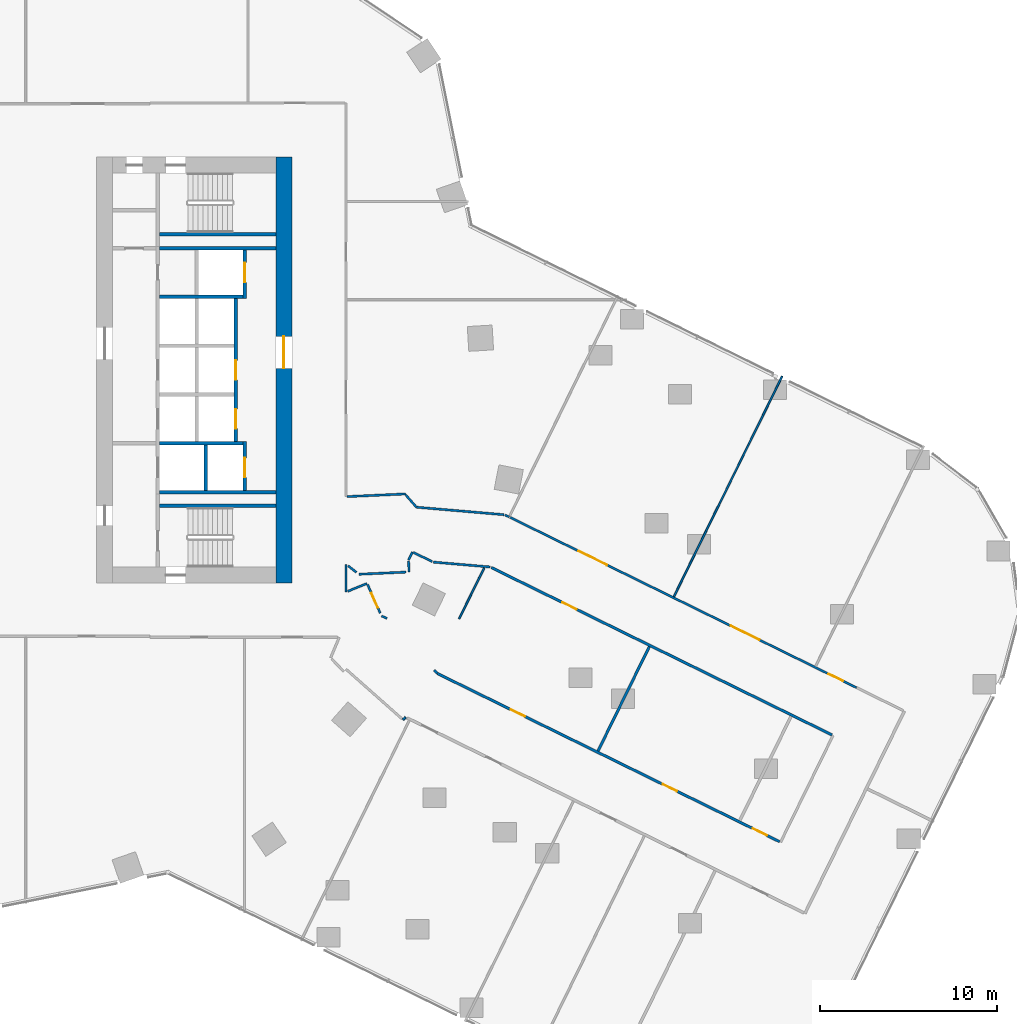
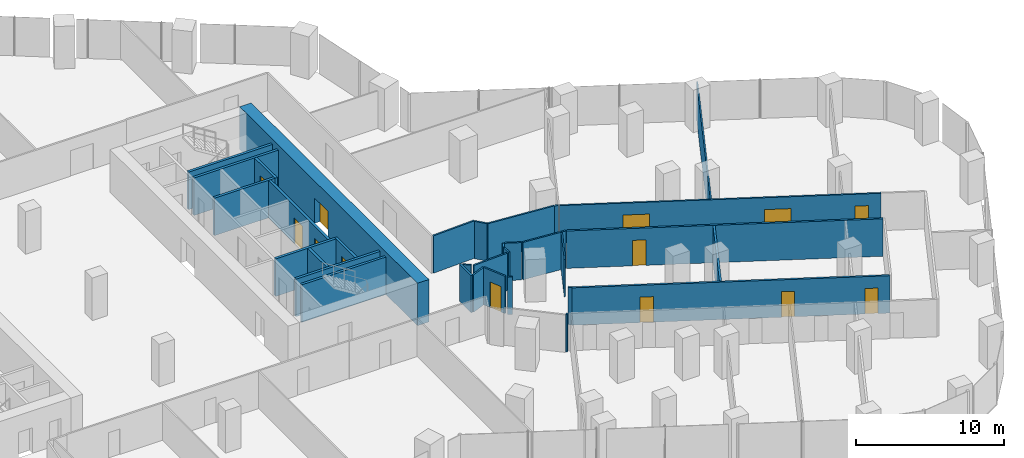
# One storey, part 30 of 38: 33 walls, 13 doors, 13 openings.
"""IFC4 building model written with IfcOpenShell, lengths in metres."""

from ifc_helpers import new_model, si_unit, direction, frame, frame_2d, origin, place, context, subcontext, project, spatial, rectangle, extrude, material, layer, layer_set, type_object, element, fill, save


model = new_model("IFC4")

# Units and contexts
model_context = context("Model", 3, precision=1e-05, world=origin(), true_north=direction((0.0, 1.0)))
body_context = subcontext(model_context, "Body", "Model", "MODEL_VIEW")
ifc_project = project(units=[si_unit("LENGTHUNIT", "METRE"), si_unit("AREAUNIT", "SQUARE_METRE"), si_unit("VOLUMEUNIT", "CUBIC_METRE"), si_unit("PLANEANGLEUNIT", "RADIAN"), si_unit("MASSUNIT", "GRAM", prefix="KILO")], contexts=[model_context])

# Site, building, storey
site_placement = place(None, origin())
site = spatial("IfcSite", under=ifc_project, at=site_placement, CompositionType="ELEMENT")
building_placement = place(site_placement, origin())
building = spatial("IfcBuilding", under=site, at=building_placement, Name="Orlundy Tower", CompositionType="ELEMENT")
storey_placement = place(building_placement, frame((0.0, 0.0, 65.800048828125)))
storey = spatial("IfcBuildingStorey", under=building, at=storey_placement, Name="L15", CompositionType="ELEMENT", Elevation=65.800048828125)

# Wall, opening, door
ifc_material_1 = material(Name="Concrete C80/95", Category="concrete")
ifc_layer_1 = layer(ifc_material_1, 0.89990234375)
ifc_layer_set_1 = layer_set([ifc_layer_1], Name="CORE WALL 900 C80/95")
wall_type_1 = type_object("IfcWallType", Name="CORE WALL 900 C80/95", PredefinedType="SHEAR", material=ifc_layer_set_1)
wall_1_placement = place(storey_placement, frame((18.550048828125, -12.0, 0.0), z_axis=(0.0, 0.0, 1.0), x_axis=(0.0, 1.0, 0.0)))
wall_1 = element("IfcWall", 1, at=wall_1_placement, inside=storey, type_object=wall_type_1, Name="Core wall E-E L15", PredefinedType="SHEAR", context=body_context, shape_type="SweptSolid", body=[
    extrude(rectangle(XDim=24.0, YDim=0.89990234375, at=frame_2d((12.0, 0.0))), origin(), (0.0, 0.0, 1.0), 3.5),
])
opening_1_placement = place(wall_1_placement, frame((12.10009765625, 0.0, 0.0)))
opening_1 = element("IfcOpeningElement", 2, at=opening_1_placement, cuts=wall_1, Name="Opening 13059", PredefinedType="OPENING", context=body_context, shape_type="SweptSolid", body=[
    extrude(rectangle(XDim=1.800048828125, YDim=2.10009765625, at=frame_2d((0.89990234375, 1.050048828125))), frame((0.0, 0.4599609375, 0.0), z_axis=(0.0, -1.0, 0.0), x_axis=(1.0, 0.0, 0.0)), (0.0, 0.0, 1.0), 0.919921875),
])
ifc_material_2 = material(Name="Timber door set", Category="wood")
door_type_1 = type_object("IfcDoorType", Name="Lobby Door 1800x2100", OperationType="DOUBLE_DOOR_DOUBLE_SWING", PredefinedType="DOOR", material=ifc_material_2)
door_1_placement = place(opening_1_placement, origin())
door_1 = element("IfcDoor", 3, at=door_1_placement, inside=storey, type_object=door_type_1, Name="Lift lobby door 13059", OperationType="SINGLE_SWING_RIGHT", OverallHeight=2.10009765625, OverallWidth=1.800048828125, PredefinedType="DOOR", context=body_context, shape_type="SweptSolid", body=[
    extrude(rectangle(XDim=1.800048828125, YDim=2.10009765625, at=frame_2d((0.89990234375, 1.050048828125))), frame((0.0, 0.02490234375, 0.0), z_axis=(0.0, -1.0, 0.0), x_axis=(1.0, 0.0, 0.0)), (0.0, 0.0, 1.0), 0.050048828125),
])
fill(opening_1, door_1)

# Walls
ifc_material_3 = material(Name="Gypsum board partition")
ifc_layer_2 = layer(ifc_material_3, 0.10009765625)
ifc_layer_set_2 = layer_set([ifc_layer_2], Name="Floor partition 100")
wall_type_2 = type_object("IfcWallType", Name="Floor partition 100", PredefinedType="PARTITIONING", material=ifc_layer_set_2)
wall_2_placement = place(storey_placement, frame((40.52392578125, -12.764892578125, 0.0), z_axis=(0.0, 0.0, 1.0), x_axis=(0.441020089077, 0.897497231768, 0.0)))
element("IfcWall", 4, at=wall_2_placement, inside=storey, type_object=wall_type_2, Name="wall-int-L15-073", PredefinedType="PARTITIONING", context=body_context, shape_type="SweptSolid", body=[
    extrude(rectangle(XDim=13.836181640625, YDim=0.10009765625, at=frame_2d((6.91796875, 0.0))), origin(), (0.0, 0.0, 1.0), 3.079833984375),
])
wall_3_placement = place(storey_placement, frame((28.426025390625, -14.014892578125, 0.0), z_axis=(0.0, 0.0, 1.0), x_axis=(0.441062549099, 0.897476366141, 0.0)))
element("IfcWall", 5, at=wall_3_placement, inside=storey, type_object=wall_type_2, Name="wall-int-L15-075", PredefinedType="PARTITIONING", context=body_context, shape_type="SweptSolid", body=[
    extrude(rectangle(XDim=3.196533203125, YDim=0.10009765625, at=frame_2d((1.59814453125, 0.0))), origin(), (0.0, 0.0, 1.0), 3.079833984375),
])
ifc_material_4 = material(Name="Gypsum board partition, double layer")
ifc_layer_3 = layer(ifc_material_4, 0.125)
ifc_layer_set_3 = layer_set([ifc_layer_3], Name="Floor partition 125")
wall_type_3 = type_object("IfcWallType", Name="Floor partition 125", PredefinedType="PARTITIONING", material=ifc_layer_set_3)
wall_4_placement = place(storey_placement, frame((25.4189453125, -7.0400390625, 0.0), z_axis=(0.0, 0.0, 1.0), x_axis=(0.659602225804, -0.751614863953, 0.0)))
element("IfcWall", 6, at=wall_4_placement, inside=storey, type_object=wall_type_3, Name="wall-int-L15-001", PredefinedType="PARTITIONING", context=body_context, shape_type="SweptSolid", body=[
    extrude(rectangle(XDim=0.912841796875, YDim=0.125, at=frame_2d((0.45654296875, 0.0))), origin(), (0.0, 0.0, 1.0), 3.079833984375),
])
wall_5_placement = place(storey_placement, frame((25.574951171875, -10.760986328125, 0.0), z_axis=(0.0, 0.0, 1.0), x_axis=(0.048925805308, -0.998802415683, 0.0)))
element("IfcWall", 7, at=wall_5_placement, inside=storey, type_object=wall_type_3, Name="wall-int-L15-002", PredefinedType="PARTITIONING", context=body_context, shape_type="SweptSolid", body=[
    extrude(rectangle(XDim=0.61376953125, YDim=0.125, at=frame_2d((0.306884765625, 0.0))), origin(), (0.0, 0.0, 1.0), 3.079833984375),
])

# Wall, opening, door
wall_6_placement = place(storey_placement, frame((23.260009765625, -12.075927734375, 0.0), z_axis=(0.0, 0.0, 1.0), x_axis=(0.40604891487, -0.913851343892, 0.0)))
wall_6 = element("IfcWall", 8, at=wall_6_placement, inside=storey, type_object=wall_type_3, Name="wall-int-L15-003", PredefinedType="PARTITIONING", context=body_context, shape_type="SweptSolid", body=[
    extrude(rectangle(XDim=1.770751953125, YDim=0.125, at=frame_2d((0.88525390625, 0.0))), origin(), (0.0, 0.0, 1.0), 3.079833984375),
])
opening_2_placement = place(wall_6_placement, frame((0.53759765625, 0.0, 0.0)))
opening_2 = element("IfcOpeningElement", 9, at=opening_2_placement, cuts=wall_6, Name="Opening 13132", PredefinedType="OPENING", context=body_context, shape_type="SweptSolid", body=[
    extrude(rectangle(XDim=0.89990234375, YDim=2.10009765625, at=frame_2d((0.449951171875, 1.050048828125))), frame((0.0, 0.072509765625, 0.0), z_axis=(0.0, -1.0, 0.0), x_axis=(1.0, 0.0, 0.0)), (0.0, 0.0, 1.0), 0.14501953125),
])
ifc_material_5 = material(Name="Timber door leaf", Category="wood")
door_type_2 = type_object("IfcDoorType", Name="Floor door single 900 FD30S", OperationType="NOTDEFINED", PredefinedType="DOOR", material=ifc_material_5)
door_2_placement = place(opening_2_placement, origin())
door_2 = element("IfcDoor", 10, at=door_2_placement, inside=storey, type_object=door_type_2, Name="Door 13132", OperationType="SINGLE_SWING_RIGHT", OverallHeight=2.10009765625, OverallWidth=0.89990234375, PredefinedType="DOOR", context=body_context, shape_type="SweptSolid", body=[
    extrude(rectangle(XDim=0.89990234375, YDim=2.10009765625, at=frame_2d((0.449951171875, 1.050048828125))), frame((0.0, 0.02490234375, 0.0), z_axis=(0.0, -1.0, 0.0), x_axis=(1.0, 0.0, 0.0)), (0.0, 0.0, 1.0), 0.050048828125),
])
fill(opening_2, door_2)

# Walls
wall_7_placement = place(storey_placement, frame((27.009033203125, -16.89892578125, 0.0), z_axis=(0.0, 0.0, 1.0), x_axis=(0.695952213436, -0.718088098087, 0.0)))
element("IfcWall", 11, at=wall_7_placement, inside=storey, type_object=wall_type_3, Name="wall-int-L15-005", PredefinedType="PARTITIONING", context=body_context, shape_type="SweptSolid", body=[
    extrude(rectangle(XDim=0.275634765625, YDim=0.125, at=frame_2d((0.1376953125, 0.0))), origin(), (0.0, 0.0, 1.0), 3.079833984375),
])
wall_8_placement = place(storey_placement, frame((22.1689453125, -11.028076171875, 0.0), z_axis=(0.0, 0.0, 1.0), x_axis=(0.78486193531, -0.619670672617, 0.0)))
element("IfcWall", 12, at=wall_8_placement, inside=storey, type_object=wall_type_3, Name="wall-int-L15-023", PredefinedType="PARTITIONING", context=body_context, shape_type="SweptSolid", body=[
    extrude(rectangle(XDim=0.60009765625, YDim=0.125, at=frame_2d((0.300048828125, 0.0))), origin(), (0.0, 0.0, 1.0), 3.079833984375),
])

# Wall, openings, doors
wall_9_placement = place(storey_placement, frame((31.291015625, -8.298095703125, 0.0), z_axis=(0.0, 0.0, 1.0), x_axis=(0.897505006542, -0.441004266683, 0.0)))
wall_9 = element("IfcWall", 13, at=wall_9_placement, inside=storey, type_object=wall_type_3, Name="wall-int-L15-028", PredefinedType="PARTITIONING", context=body_context, shape_type="SweptSolid", body=[
    extrude(rectangle(XDim=21.757080078125, YDim=0.125, at=frame_2d((10.87841796875, 0.0))), origin(), (0.0, 0.0, 1.0), 3.079833984375),
])
opening_3_placement = place(wall_9_placement, frame((4.300048828125, 0.0, 0.0)))
opening_3 = element("IfcOpeningElement", 14, at=opening_3_placement, cuts=wall_9, Name="Opening 13100", PredefinedType="OPENING", context=body_context, shape_type="SweptSolid", body=[
    extrude(rectangle(XDim=1.800048828125, YDim=2.10009765625, at=frame_2d((0.89990234375, 1.050048828125))), frame((0.0, 0.072509765625, 0.0), z_axis=(0.0, -1.0, 0.0), x_axis=(1.0, 0.0, 0.0)), (0.0, 0.0, 1.0), 0.14501953125),
])
opening_4_placement = place(wall_9_placement, frame((13.856201171875, 0.0, 0.0)))
opening_4 = element("IfcOpeningElement", 15, at=opening_4_placement, cuts=wall_9, Name="Opening 13101", PredefinedType="OPENING", context=body_context, shape_type="SweptSolid", body=[
    extrude(rectangle(XDim=1.800048828125, YDim=2.10009765625, at=frame_2d((0.89990234375, 1.050048828125))), frame((0.0, 0.072509765625, 0.0), z_axis=(0.0, -1.0, 0.0), x_axis=(1.0, 0.0, 0.0)), (0.0, 0.0, 1.0), 0.14501953125),
])
opening_5_placement = place(wall_9_placement, frame((20.006591796875, 0.0, 0.0)))
opening_5 = element("IfcOpeningElement", 16, at=opening_5_placement, cuts=wall_9, Name="Opening 13106", PredefinedType="OPENING", context=body_context, shape_type="SweptSolid", body=[
    extrude(rectangle(XDim=0.89990234375, YDim=2.10009765625, at=frame_2d((0.449951171875, 1.050048828125))), frame((0.0, 0.072509765625, 0.0), z_axis=(0.0, -1.0, 0.0), x_axis=(1.0, 0.0, 0.0)), (0.0, 0.0, 1.0), 0.14501953125),
])
ifc_material_6 = material(Name="Timber door leaf", Category="wood")
door_type_3 = type_object("IfcDoorType", Name="Floor door double 1800 FD30S", OperationType="NOTDEFINED", PredefinedType="DOOR", material=ifc_material_6)
door_3_placement = place(opening_3_placement, origin())
door_3 = element("IfcDoor", 17, at=door_3_placement, inside=storey, type_object=door_type_3, Name="Door 13100", OperationType="DOUBLE_DOOR_SINGLE_SWING", OverallHeight=2.10009765625, OverallWidth=1.800048828125, PredefinedType="DOOR", context=body_context, shape_type="SweptSolid", body=[
    extrude(rectangle(XDim=1.800048828125, YDim=2.10009765625, at=frame_2d((0.89990234375, 1.050048828125))), frame((0.0, 0.02490234375, 0.0), z_axis=(0.0, -1.0, 0.0), x_axis=(1.0, 0.0, 0.0)), (0.0, 0.0, 1.0), 0.050048828125),
])
fill(opening_3, door_3)
door_4_placement = place(opening_4_placement, origin())
door_4 = element("IfcDoor", 18, at=door_4_placement, inside=storey, type_object=door_type_3, Name="Door 13101", OperationType="DOUBLE_DOOR_SINGLE_SWING", OverallHeight=2.10009765625, OverallWidth=1.800048828125, PredefinedType="DOOR", context=body_context, shape_type="SweptSolid", body=[
    extrude(rectangle(XDim=1.800048828125, YDim=2.10009765625, at=frame_2d((0.89990234375, 1.050048828125))), frame((0.0, 0.02490234375, 0.0), z_axis=(0.0, -1.0, 0.0), x_axis=(1.0, 0.0, 0.0)), (0.0, 0.0, 1.0), 0.050048828125),
])
fill(opening_4, door_4)
door_5_placement = place(opening_5_placement, origin())
door_5 = element("IfcDoor", 19, at=door_5_placement, inside=storey, type_object=door_type_2, Name="Door 13106", OperationType="SINGLE_SWING_RIGHT", OverallHeight=2.10009765625, OverallWidth=0.89990234375, PredefinedType="DOOR", context=body_context, shape_type="SweptSolid", body=[
    extrude(rectangle(XDim=0.89990234375, YDim=2.10009765625, at=frame_2d((0.449951171875, 1.050048828125))), frame((0.0, 0.02490234375, 0.0), z_axis=(0.0, -1.0, 0.0), x_axis=(1.0, 0.0, 0.0)), (0.0, 0.0, 1.0), 0.050048828125),
])
fill(opening_5, door_5)

# Walls
wall_10_placement = place(storey_placement, frame((31.007080078125, -8.158935546875, 0.0), z_axis=(0.0, 0.0, 1.0), x_axis=(0.898247549427, -0.439489863305, 0.0)))
element("IfcWall", 20, at=wall_10_placement, inside=storey, type_object=wall_type_3, Name="wall-int-L15-030", PredefinedType="PARTITIONING", context=body_context, shape_type="SweptSolid", body=[
    extrude(rectangle(XDim=0.26611328125, YDim=0.125, at=frame_2d((0.133056640625, 0.0))), origin(), (0.0, 0.0, 1.0), 3.079833984375),
])
wall_11_placement = place(storey_placement, frame((24.048095703125, -13.85009765625, 0.0), z_axis=(0.0, 0.0, 1.0), x_axis=(0.900168222798, -0.43554238676, 0.0)))
element("IfcWall", 21, at=wall_11_placement, inside=storey, type_object=wall_type_3, Name="wall-int-L15-031", PredefinedType="PARTITIONING", context=body_context, shape_type="SweptSolid", body=[
    extrude(rectangle(XDim=0.34423828125, YDim=0.125, at=frame_2d((0.172119140625, 0.0))), origin(), (0.0, 0.0, 1.0), 3.079833984375),
])
wall_12_placement = place(storey_placement, frame((25.844970703125, -10.27587890625, 0.0), z_axis=(0.0, 0.0, 1.0), x_axis=(0.900044500098, -0.435798001193, 0.0)))
element("IfcWall", 22, at=wall_12_placement, inside=storey, type_object=wall_type_3, Name="wall-int-L15-032", PredefinedType="PARTITIONING", context=body_context, shape_type="SweptSolid", body=[
    extrude(rectangle(XDim=1.184326171875, YDim=0.125, at=frame_2d((0.59228515625, 0.0))), origin(), (0.0, 0.0, 1.0), 3.079833984375),
])
wall_13_placement = place(storey_placement, frame((26.967041015625, -10.819091796875, 0.0), z_axis=(0.0, 0.0, 1.0), x_axis=(0.99634849222, -0.085379634874, 0.0)))
element("IfcWall", 23, at=wall_13_placement, inside=storey, type_object=wall_type_3, Name="wall-int-L15-038", PredefinedType="PARTITIONING", context=body_context, shape_type="SweptSolid", body=[
    extrude(rectangle(XDim=3.2197265625, YDim=0.125, at=frame_2d((1.60986328125, 0.0))), origin(), (0.0, 0.0, 1.0), 3.079833984375),
])
wall_14_placement = place(storey_placement, frame((26.02099609375, -7.72607421875, 0.0), z_axis=(0.0, 0.0, 1.0), x_axis=(0.996349284826, -0.085370384947, 0.0)))
element("IfcWall", 24, at=wall_14_placement, inside=storey, type_object=wall_type_3, Name="wall-int-L15-039", PredefinedType="PARTITIONING", context=body_context, shape_type="SweptSolid", body=[
    extrude(rectangle(XDim=4.953125, YDim=0.125, at=frame_2d((2.4765625, 0.0))), origin(), (0.0, 0.0, 1.0), 3.079833984375),
])
wall_15_placement = place(storey_placement, frame((22.77099609375, -11.50390625, 0.0), z_axis=(0.0, 0.0, 1.0), x_axis=(0.998960167468, 0.045591488373, 0.0)))
element("IfcWall", 25, at=wall_15_placement, inside=storey, type_object=wall_type_3, Name="wall-int-L15-053", PredefinedType="PARTITIONING", context=body_context, shape_type="SweptSolid", body=[
    extrude(rectangle(XDim=2.650634765625, YDim=0.125, at=frame_2d((1.3251953125, 0.0))), origin(), (0.0, 0.0, 1.0), 3.079833984375),
])
wall_16_placement = place(storey_placement, frame((22.113037109375, -7.1279296875, 0.0), z_axis=(0.0, 0.0, 1.0), x_axis=(0.998972341729, 0.045323950183, 0.0)))
element("IfcWall", 26, at=wall_16_placement, inside=storey, type_object=wall_type_3, Name="wall-int-L15-054", PredefinedType="PARTITIONING", context=body_context, shape_type="SweptSolid", body=[
    extrude(rectangle(XDim=3.307373046875, YDim=0.125, at=frame_2d((1.65380859375, 0.0))), origin(), (0.0, 0.0, 1.0), 3.079833984375),
])
wall_17_placement = place(storey_placement, frame((22.14697265625, -12.462890625, 0.0), z_axis=(0.0, 0.0, 1.0), x_axis=(0.926466577122, 0.376377046956, 0.0)))
element("IfcWall", 27, at=wall_17_placement, inside=storey, type_object=wall_type_3, Name="wall-int-L15-055", PredefinedType="PARTITIONING", context=body_context, shape_type="SweptSolid", body=[
    extrude(rectangle(XDim=1.16357421875, YDim=0.125, at=frame_2d((0.581787109375, 0.0))), origin(), (0.0, 0.0, 1.0), 3.079833984375),
])
wall_18_placement = place(storey_placement, frame((25.258056640625, -19.697021484375, 0.0), z_axis=(0.0, 0.0, 1.0), x_axis=(0.752059641436, 0.659095058184, 0.0)))
element("IfcWall", 28, at=wall_18_placement, inside=storey, type_object=wall_type_3, Name="wall-int-L15-057", PredefinedType="PARTITIONING", context=body_context, shape_type="SweptSolid", body=[
    extrude(rectangle(XDim=0.204833984375, YDim=0.125, at=frame_2d((0.1025390625, 0.0))), origin(), (0.0, 0.0, 1.0), 3.079833984375),
])
wall_19_placement = place(storey_placement, frame((25.572021484375, -10.698974609375, 0.0), z_axis=(0.0, 0.0, 1.0), x_axis=(0.434462039315, 0.900690144497, 0.0)))
element("IfcWall", 29, at=wall_19_placement, inside=storey, type_object=wall_type_3, Name="wall-int-L15-078", PredefinedType="PARTITIONING", context=body_context, shape_type="SweptSolid", body=[
    extrude(rectangle(XDim=0.49951171875, YDim=0.125, at=frame_2d((0.249755859375, 0.0))), origin(), (0.0, 0.0, 1.0), 3.079833984375),
])
wall_20_placement = place(storey_placement, frame((22.051025390625, -12.5, 0.0), z_axis=(0.0, 0.0, 1.0), x_axis=(0.0, 1.0, 0.0)))
element("IfcWall", 30, at=wall_20_placement, inside=storey, type_object=wall_type_3, Name="wall-int-L15-086", PredefinedType="PARTITIONING", context=body_context, shape_type="SweptSolid", body=[
    extrude(rectangle(XDim=1.55810546875, YDim=0.125, at=frame_2d((0.779052734375, 0.0))), origin(), (0.0, 0.0, 1.0), 3.079833984375),
])

# Wall, openings, doors
ifc_material_7 = material(Name="Blockwork shaft wall", Category="masonry")
ifc_layer_4 = layer(ifc_material_7, 0.14990234375)
ifc_layer_set_4 = layer_set([ifc_layer_4], Name="Floor shaft wall 150")
wall_type_4 = type_object("IfcWallType", Name="Floor shaft wall 150", PredefinedType="PARTITIONING", material=ifc_layer_set_4)
wall_21_placement = place(storey_placement, frame((27.200927734375, -17.096923828125, 0.0), z_axis=(0.0, 0.0, 1.0), x_axis=(0.897485674031, -0.441043608853, 0.0)))
wall_21 = element("IfcWall", 31, at=wall_21_placement, inside=storey, type_object=wall_type_4, Name="wall-int-L15-025", PredefinedType="PARTITIONING", context=body_context, shape_type="SweptSolid", body=[
    extrude(rectangle(XDim=21.4833984375, YDim=0.14990234375, at=frame_2d((10.74169921875, 0.0))), origin(), (0.0, 0.0, 1.0), 3.079833984375),
])
opening_6_placement = place(wall_21_placement, frame((4.60009765625, 0.0, 0.0)))
opening_6 = element("IfcOpeningElement", 32, at=opening_6_placement, cuts=wall_21, Name="Opening 13102", PredefinedType="OPENING", context=body_context, shape_type="SweptSolid", body=[
    extrude(rectangle(XDim=0.89990234375, YDim=2.10009765625, at=frame_2d((0.449951171875, 1.050048828125))), frame((0.0, 0.0849609375, 0.0), z_axis=(0.0, -1.0, 0.0), x_axis=(1.0, 0.0, 0.0)), (0.0, 0.0, 1.0), 0.169921875),
])
opening_7_placement = place(wall_21_placement, frame((14.14697265625, 0.0, 0.0)))
opening_7 = element("IfcOpeningElement", 33, at=opening_7_placement, cuts=wall_21, Name="Opening 13104", PredefinedType="OPENING", context=body_context, shape_type="SweptSolid", body=[
    extrude(rectangle(XDim=0.89990234375, YDim=2.10009765625, at=frame_2d((0.449951171875, 1.050048828125))), frame((0.0, 0.0849609375, 0.0), z_axis=(0.0, -1.0, 0.0), x_axis=(1.0, 0.0, 0.0)), (0.0, 0.0, 1.0), 0.169921875),
])
opening_8_placement = place(wall_21_placement, frame((19.797119140625, 0.0, 0.0)))
opening_8 = element("IfcOpeningElement", 34, at=opening_8_placement, cuts=wall_21, Name="Opening 13105", PredefinedType="OPENING", context=body_context, shape_type="SweptSolid", body=[
    extrude(rectangle(XDim=0.89990234375, YDim=2.10009765625, at=frame_2d((0.449951171875, 1.050048828125))), frame((0.0, 0.0849609375, 0.0), z_axis=(0.0, -1.0, 0.0), x_axis=(1.0, 0.0, 0.0)), (0.0, 0.0, 1.0), 0.169921875),
])
ifc_material_8 = material(Name="Timber door leaf", Category="wood")
door_type_4 = type_object("IfcDoorType", Name="Floor door single 900 FD60", OperationType="NOTDEFINED", PredefinedType="DOOR", material=ifc_material_8)
door_6_placement = place(opening_6_placement, origin())
door_6 = element("IfcDoor", 35, at=door_6_placement, inside=storey, type_object=door_type_4, Name="Door 13102", OperationType="SINGLE_SWING_LEFT", OverallHeight=2.10009765625, OverallWidth=0.89990234375, PredefinedType="DOOR", context=body_context, shape_type="SweptSolid", body=[
    extrude(rectangle(XDim=0.89990234375, YDim=2.10009765625, at=frame_2d((0.449951171875, 1.050048828125))), frame((0.0, 0.02490234375, 0.0), z_axis=(0.0, -1.0, 0.0), x_axis=(1.0, 0.0, 0.0)), (0.0, 0.0, 1.0), 0.050048828125),
])
fill(opening_6, door_6)
door_7_placement = place(opening_7_placement, origin())
door_7 = element("IfcDoor", 36, at=door_7_placement, inside=storey, type_object=door_type_4, Name="Door 13104", OperationType="SINGLE_SWING_RIGHT", OverallHeight=2.10009765625, OverallWidth=0.89990234375, PredefinedType="DOOR", context=body_context, shape_type="SweptSolid", body=[
    extrude(rectangle(XDim=0.89990234375, YDim=2.10009765625, at=frame_2d((0.449951171875, 1.050048828125))), frame((0.0, 0.02490234375, 0.0), z_axis=(0.0, -1.0, 0.0), x_axis=(1.0, 0.0, 0.0)), (0.0, 0.0, 1.0), 0.050048828125),
])
fill(opening_7, door_7)
door_8_placement = place(opening_8_placement, origin())
door_8 = element("IfcDoor", 37, at=door_8_placement, inside=storey, type_object=door_type_4, Name="Door 13105", OperationType="SINGLE_SWING_RIGHT", OverallHeight=2.10009765625, OverallWidth=0.89990234375, PredefinedType="DOOR", context=body_context, shape_type="SweptSolid", body=[
    extrude(rectangle(XDim=0.89990234375, YDim=2.10009765625, at=frame_2d((0.449951171875, 1.050048828125))), frame((0.0, 0.02490234375, 0.0), z_axis=(0.0, -1.0, 0.0), x_axis=(1.0, 0.0, 0.0)), (0.0, 0.0, 1.0), 0.050048828125),
])
fill(opening_8, door_8)

# Wall, opening, door
wall_22_placement = place(storey_placement, frame((49.43798828125, -20.55908203125, 0.0), z_axis=(0.0, 0.0, 1.0), x_axis=(-0.897517730631, 0.440978370447, 0.0)))
wall_22 = element("IfcWall", 38, at=wall_22_placement, inside=storey, type_object=wall_type_4, Name="wall-int-L15-027", PredefinedType="PARTITIONING", context=body_context, shape_type="SweptSolid", body=[
    extrude(rectangle(XDim=21.400146484375, YDim=0.14990234375, at=frame_2d((10.7001953125, 0.0))), origin(), (0.0, 0.0, 1.0), 3.079833984375),
])
opening_9_placement = place(wall_22_placement, frame((16.037353515625, 0.0, 0.0)))
opening_9 = element("IfcOpeningElement", 39, at=opening_9_placement, cuts=wall_22, Name="Opening 13103", PredefinedType="OPENING", context=body_context, shape_type="SweptSolid", body=[
    extrude(rectangle(XDim=0.89990234375, YDim=2.10009765625, at=frame_2d((0.449951171875, 1.050048828125))), frame((0.0, 0.0849609375, 0.0), z_axis=(0.0, -1.0, 0.0), x_axis=(1.0, 0.0, 0.0)), (0.0, 0.0, 1.0), 0.169921875),
])
door_9_placement = place(opening_9_placement, origin())
door_9 = element("IfcDoor", 40, at=door_9_placement, inside=storey, type_object=door_type_4, Name="Door 13103", OperationType="SINGLE_SWING_RIGHT", OverallHeight=2.10009765625, OverallWidth=0.89990234375, PredefinedType="DOOR", context=body_context, shape_type="SweptSolid", body=[
    extrude(rectangle(XDim=0.89990234375, YDim=2.10009765625, at=frame_2d((0.449951171875, 1.050048828125))), frame((0.0, 0.02490234375, 0.0), z_axis=(0.0, -1.0, 0.0), x_axis=(1.0, 0.0, 0.0)), (0.0, 0.0, 1.0), 0.050048828125),
])
fill(opening_9, door_9)

# Walls
wall_23_placement = place(storey_placement, frame((36.2509765625, -21.4609375, 0.0), z_axis=(0.0, 0.0, 1.0), x_axis=(0.44103082672, 0.89749195533, 0.0)))
element("IfcWall", 41, at=wall_23_placement, inside=storey, type_object=wall_type_4, Name="wall-int-L15-072", PredefinedType="PARTITIONING", context=body_context, shape_type="SweptSolid", body=[
    extrude(rectangle(XDim=6.55029296875, YDim=0.14990234375, at=frame_2d((3.275146484375, 0.0))), origin(), (0.0, 0.0, 1.0), 3.079833984375),
])
ifc_material_9 = material(Name="Concrete C40/50", Category="concrete")
ifc_layer_5 = layer(ifc_material_9, 0.199951171875)
ifc_layer_set_5 = layer_set([ifc_layer_5], Name="Load-bearing Shaft Wall 200")
wall_type_5 = type_object("IfcWallType", Name="Load-bearing Shaft Wall 200", PredefinedType="SOLIDWALL", material=ifc_layer_set_5)
for number, where, z_axis, x_axis, name in (
    (42, (11.5400390625, -7.64990234375, 0.0), (0.0, 0.0, 1.0), (1.0, 0.0, 0.0), "Shaft wall E13-stair-side-n"),
    (43, (11.5400390625, 7.64990234375, 0.0), (0.0, 0.0, 1.0), (1.0, 0.0, 0.0), "Shaft wall E13-stair-side-s"),
):
    element("IfcWall", number, at=place(storey_placement, frame(where, z_axis=z_axis, x_axis=x_axis)), inside=storey, type_object=wall_type_5, Name=name, PredefinedType="SOLIDWALL", context=body_context, shape_type="SweptSolid", body=[
        extrude(rectangle(XDim=6.56005859375, YDim=0.199951171875, at=frame_2d((3.280029296875, 0.0))), origin(), (0.0, 0.0, 1.0), 3.08984375),
    ])
ifc_material_10 = material(Name="Fire-rated blockwork shaft wall", Category="masonry")
ifc_layer_6 = layer(ifc_material_10, 0.199951171875)
ifc_layer_set_6 = layer_set([ifc_layer_6], Name="Shaft Wall 200")
wall_type_6 = type_object("IfcWallType", Name="Shaft Wall 200", PredefinedType="SOLIDWALL", material=ifc_layer_set_6)
for number, where, z_axis, x_axis, name in (
    (44, (11.5400390625, -6.875, 0.0), (0.0, 0.0, 1.0), (1.0, 0.0, 0.0), "Shaft wall E13-zone-n"),
    (45, (11.5400390625, 6.875, 0.0), (0.0, 0.0, 1.0), (1.0, 0.0, 0.0), "Shaft wall E13-zone-s"),
):
    element("IfcWall", number, at=place(storey_placement, frame(where, z_axis=z_axis, x_axis=x_axis)), inside=storey, type_object=wall_type_6, Name=name, PredefinedType="SOLIDWALL", context=body_context, shape_type="SweptSolid", body=[
        extrude(rectangle(XDim=6.56005859375, YDim=0.199951171875, at=frame_2d((3.280029296875, 0.0))), origin(), (0.0, 0.0, 1.0), 3.08984375),
    ])
for number, where, z_axis, x_axis, name in (
    (46, (11.5400390625, 4.125, 0.0), (0.0, 0.0, 1.0), (1.0, 0.0, 0.0), "Shaft wall E13-cross-4.125"),
    (47, (11.5400390625, -4.125, 0.0), (0.0, 0.0, 1.0), (1.0, 0.0, 0.0), "Shaft wall E13-cross+4.125"),
):
    element("IfcWall", number, at=place(storey_placement, frame(where, z_axis=z_axis, x_axis=x_axis)), inside=storey, type_object=wall_type_6, Name=name, PredefinedType="SOLIDWALL", context=body_context, shape_type="SweptSolid", body=[
        extrude(rectangle(XDim=4.699951171875, YDim=0.199951171875, at=frame_2d((2.35009765625, 0.0))), origin(), (0.0, 0.0, 1.0), 3.08984375),
    ])
wall_24_placement = place(storey_placement, frame((14.139892578125, -4.22509765625, 0.0), z_axis=(0.0, 0.0, 1.0), x_axis=(0.0, -1.0, 0.0)))
element("IfcWall", 48, at=wall_24_placement, inside=storey, type_object=wall_type_6, Name="Shaft wall E13-mid-b", PredefinedType="SOLIDWALL", context=body_context, shape_type="SweptSolid", body=[
    extrude(rectangle(XDim=2.5498046875, YDim=0.199951171875, at=frame_2d((1.27490234375, 0.0))), origin(), (0.0, 0.0, 1.0), 3.08984375),
])

# Wall, opening, door
wall_25_placement = place(storey_placement, frame((16.340087890625, 6.77490234375, 0.0), z_axis=(0.0, 0.0, 1.0), x_axis=(0.0, -1.0, 0.0)))
wall_25 = element("IfcWall", 49, at=wall_25_placement, inside=storey, type_object=wall_type_6, Name="Shaft wall E13-front-o-a", PredefinedType="SOLIDWALL", context=body_context, shape_type="SweptSolid", body=[
    extrude(rectangle(XDim=2.75, YDim=0.199951171875, at=frame_2d((1.375, 0.0))), origin(), (0.0, 0.0, 1.0), 3.08984375),
])
opening_10_placement = place(wall_25_placement, frame((0.72509765625, 0.0, 0.0)))
opening_10 = element("IfcOpeningElement", 50, at=opening_10_placement, cuts=wall_25, Name="Opening 13050", PredefinedType="OPENING", context=body_context, shape_type="SweptSolid", body=[
    extrude(rectangle(XDim=1.10009765625, YDim=2.10009765625, at=frame_2d((0.550048828125, 1.050048828125))), frame((0.0, 0.110107421875, 0.0), z_axis=(0.0, -1.0, 0.0), x_axis=(1.0, 0.0, 0.0)), (0.0, 0.0, 1.0), 0.22021484375),
])
ifc_material_11 = material(Name="Steel door set", Category="steel")
door_type_5 = type_object("IfcDoorType", Name="Landing Door 1100x2100", OperationType="DOUBLE_DOOR_SLIDING", PredefinedType="DOOR", material=ifc_material_11)
door_10_placement = place(opening_10_placement, origin())
door_10 = element("IfcDoor", 51, at=door_10_placement, inside=storey, type_object=door_type_5, Name="Lift landing door LV-02 13050", OperationType="DOUBLE_DOOR_SLIDING", OverallHeight=2.10009765625, OverallWidth=1.10009765625, PredefinedType="DOOR", context=body_context, shape_type="SweptSolid", body=[
    extrude(rectangle(XDim=1.10009765625, YDim=2.10009765625, at=frame_2d((0.550048828125, 1.050048828125))), frame((0.0, 0.02490234375, 0.0), z_axis=(0.0, -1.0, 0.0), x_axis=(1.0, 0.0, 0.0)), (0.0, 0.0, 1.0), 0.050048828125),
])
fill(opening_10, door_10)

# Wall, openings, doors
wall_26_placement = place(storey_placement, frame((15.840087890625, 4.02490234375, 0.0), z_axis=(0.0, 0.0, 1.0), x_axis=(0.0, -1.0, 0.0)))
wall_26 = element("IfcWall", 52, at=wall_26_placement, inside=storey, type_object=wall_type_6, Name="Shaft wall E13-front-o-b", PredefinedType="SOLIDWALL", context=body_context, shape_type="SweptSolid", body=[
    extrude(rectangle(XDim=8.0498046875, YDim=0.199951171875, at=frame_2d((4.02490234375, 0.0))), origin(), (0.0, 0.0, 1.0), 3.08984375),
])
opening_11_placement = place(wall_26_placement, frame((3.47509765625, 0.0, 0.0)))
opening_11 = element("IfcOpeningElement", 53, at=opening_11_placement, cuts=wall_26, Name="Opening 13052", PredefinedType="OPENING", context=body_context, shape_type="SweptSolid", body=[
    extrude(rectangle(XDim=1.10009765625, YDim=2.10009765625, at=frame_2d((0.550048828125, 1.050048828125))), frame((0.0, 0.110107421875, 0.0), z_axis=(0.0, -1.0, 0.0), x_axis=(1.0, 0.0, 0.0)), (0.0, 0.0, 1.0), 0.22021484375),
])
opening_12_placement = place(wall_26_placement, frame((6.22509765625, 0.0, 0.0)))
opening_12 = element("IfcOpeningElement", 54, at=opening_12_placement, cuts=wall_26, Name="Opening 13054", PredefinedType="OPENING", context=body_context, shape_type="SweptSolid", body=[
    extrude(rectangle(XDim=1.10009765625, YDim=2.10009765625, at=frame_2d((0.550048828125, 1.050048828125))), frame((0.0, 0.110107421875, 0.0), z_axis=(0.0, -1.0, 0.0), x_axis=(1.0, 0.0, 0.0)), (0.0, 0.0, 1.0), 0.22021484375),
])
door_11_placement = place(opening_11_placement, origin())
door_11 = element("IfcDoor", 55, at=door_11_placement, inside=storey, type_object=door_type_5, Name="Lift landing door LP-06 13052", OperationType="DOUBLE_DOOR_SLIDING", OverallHeight=2.10009765625, OverallWidth=1.10009765625, PredefinedType="DOOR", context=body_context, shape_type="SweptSolid", body=[
    extrude(rectangle(XDim=1.10009765625, YDim=2.10009765625, at=frame_2d((0.550048828125, 1.050048828125))), frame((0.0, 0.02490234375, 0.0), z_axis=(0.0, -1.0, 0.0), x_axis=(1.0, 0.0, 0.0)), (0.0, 0.0, 1.0), 0.050048828125),
])
fill(opening_11, door_11)
door_12_placement = place(opening_12_placement, origin())
door_12 = element("IfcDoor", 56, at=door_12_placement, inside=storey, type_object=door_type_5, Name="Lift landing door LP-08 13054", OperationType="DOUBLE_DOOR_SLIDING", OverallHeight=2.10009765625, OverallWidth=1.10009765625, PredefinedType="DOOR", context=body_context, shape_type="SweptSolid", body=[
    extrude(rectangle(XDim=1.10009765625, YDim=2.10009765625, at=frame_2d((0.550048828125, 1.050048828125))), frame((0.0, 0.02490234375, 0.0), z_axis=(0.0, -1.0, 0.0), x_axis=(1.0, 0.0, 0.0)), (0.0, 0.0, 1.0), 0.050048828125),
])
fill(opening_12, door_12)

# Wall, opening, door
wall_27_placement = place(storey_placement, frame((16.340087890625, -4.02490234375, 0.0), z_axis=(0.0, 0.0, 1.0), x_axis=(0.0, -1.0, 0.0)))
wall_27 = element("IfcWall", 57, at=wall_27_placement, inside=storey, type_object=wall_type_6, Name="Shaft wall E13-front-o-c", PredefinedType="SOLIDWALL", context=body_context, shape_type="SweptSolid", body=[
    extrude(rectangle(XDim=2.75, YDim=0.199951171875, at=frame_2d((1.375, 0.0))), origin(), (0.0, 0.0, 1.0), 3.08984375),
])
opening_13_placement = place(wall_27_placement, frame((0.925048828125, 0.0, 0.0)))
opening_13 = element("IfcOpeningElement", 58, at=opening_13_placement, cuts=wall_27, Name="Opening 13056", PredefinedType="OPENING", context=body_context, shape_type="SweptSolid", body=[
    extrude(rectangle(XDim=1.10009765625, YDim=2.10009765625, at=frame_2d((0.550048828125, 1.050048828125))), frame((0.0, 0.110107421875, 0.0), z_axis=(0.0, -1.0, 0.0), x_axis=(1.0, 0.0, 0.0)), (0.0, 0.0, 1.0), 0.22021484375),
])
door_13_placement = place(opening_13_placement, origin())
door_13 = element("IfcDoor", 59, at=door_13_placement, inside=storey, type_object=door_type_5, Name="Lift landing door LP-09 13056", OperationType="DOUBLE_DOOR_SLIDING", OverallHeight=2.10009765625, OverallWidth=1.10009765625, PredefinedType="DOOR", context=body_context, shape_type="SweptSolid", body=[
    extrude(rectangle(XDim=1.10009765625, YDim=2.10009765625, at=frame_2d((0.550048828125, 1.050048828125))), frame((0.0, 0.02490234375, 0.0), z_axis=(0.0, -1.0, 0.0), x_axis=(1.0, 0.0, 0.0)), (0.0, 0.0, 1.0), 0.050048828125),
])
fill(opening_13, door_13)

save(model, "model.ifc")
